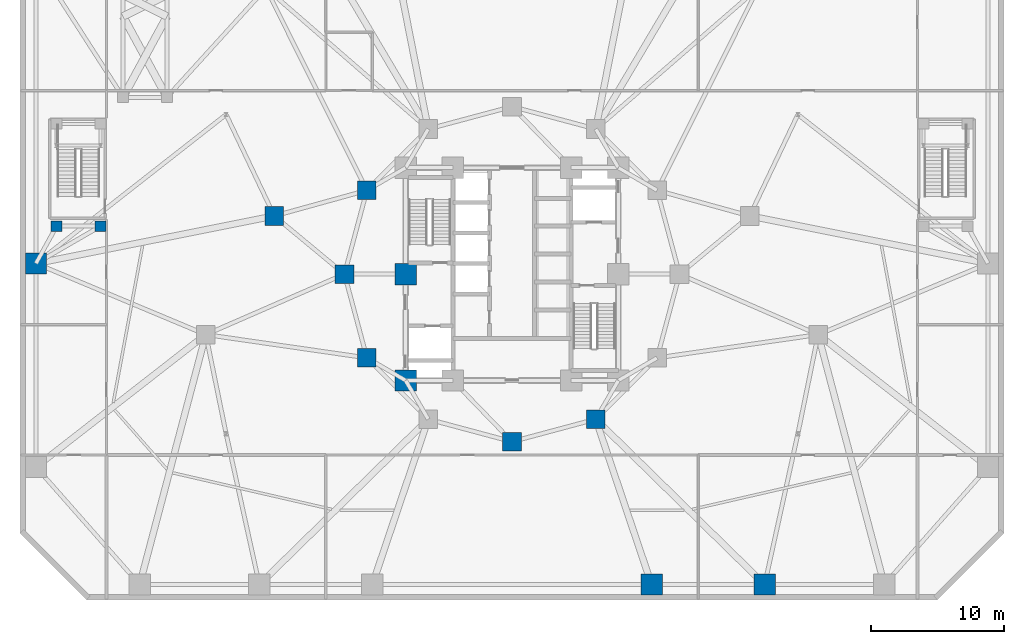
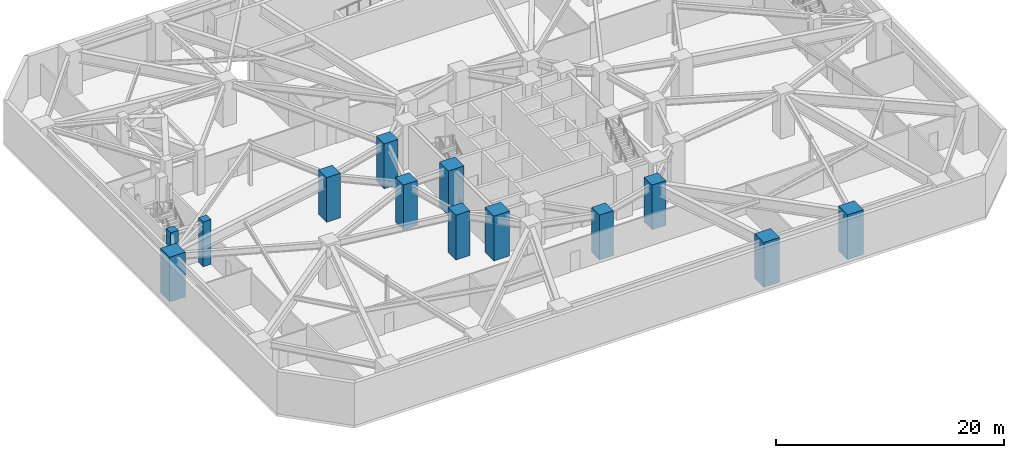
# One storey, part 2 of 18: 13 columns.
"""IFC4 building model written with IfcOpenShell, lengths in metres."""

from ifc_helpers import new_model, si_unit, direction, frame, origin, origin_2d, place, context, subcontext, project, spatial, rectangle, extrude, material, material_profile, profile_set, type_object, element, save


model = new_model("IFC4")

# Units and contexts
model_context = context("Model", 3, precision=1e-05, world=origin(), true_north=direction((0.0, 1.0)))
body_context = subcontext(model_context, "Body", "Model", "MODEL_VIEW")
ifc_project = project(units=[si_unit("LENGTHUNIT", "METRE"), si_unit("AREAUNIT", "SQUARE_METRE"), si_unit("VOLUMEUNIT", "CUBIC_METRE"), si_unit("PLANEANGLEUNIT", "RADIAN"), si_unit("MASSUNIT", "GRAM", prefix="KILO")], contexts=[model_context])

# Site, building, storey
site_placement = place(None, origin())
site = spatial("IfcSite", under=ifc_project, at=site_placement, CompositionType="ELEMENT")
building_placement = place(site_placement, origin())
building = spatial("IfcBuilding", under=site, at=building_placement, Name="Terralouvre Media Tower", CompositionType="ELEMENT")
storey_placement = place(building_placement, frame((0.0, 0.0, -4.800048828125)))
storey = spatial("IfcBuildingStorey", under=building, at=storey_placement, Name="B01", CompositionType="ELEMENT", Elevation=-4.800048828125)

# Columns
ifc_material_1 = material(Name="Concrete C60/75", Category="concrete")
ifc_material_profile_1 = material_profile(ifc_material_1, rectangle(XDim=1.39990234375, YDim=1.39990234375, at=origin_2d()), Name="RC 1400x1400")
ifc_profile_set_1 = profile_set([ifc_material_profile_1], Name="Concrete C60/75")
column_type_1 = type_object("IfcColumnType", Name="Structural Column C-RC1400 (RC 1400x1400)", PredefinedType="COLUMN", material=ifc_profile_set_1)
for number, where, z_axis, x_axis, name in (
    (1, (-10.911865234375, 6.300048828125, 0.0), (0.0, 0.0, 1.0), (1.0, 0.0, 0.0), "B01 Mega-Frame Column MC06"),
    (2, (-12.60009765625, 0.0, 0.0), (0.0, 0.0, 1.0), (1.0, 0.0, 0.0), "B01 Mega-Frame Column MC07"),
    (3, (-10.911865234375, -6.300048828125, 0.0), (0.0, 0.0, 1.0), (1.0, 0.0, 0.0), "B01 Mega-Frame Column MC08"),
    (4, (0.0, -12.60009765625, 0.0), (0.0, 0.0, 1.0), (1.0, 0.0, 0.0), "B01 Mega-Frame Column MC10"),
    (5, (6.300048828125, -10.911865234375, 0.0), (0.0, 0.0, 1.0), (1.0, 0.0, 0.0), "B01 Mega-Frame Column MC11"),
    (6, (-17.874755859375, 4.373291015625, 0.0), (0.0, 0.0, 1.0), (1.0, 0.0, 0.0), "B01 Podium Transfer Column PM23"),
):
    element("IfcColumn", number, at=place(storey_placement, frame(where, z_axis=z_axis, x_axis=x_axis)), inside=storey, type_object=column_type_1, Name=name, PredefinedType="COLUMN", context=body_context, shape_type="SweptSolid", body=[
        extrude(rectangle(XDim=1.39990234375, YDim=1.39990234375, at=origin_2d()), origin(), (0.0, 0.0, 1.0), 4.800048828125),
    ])
ifc_material_2 = material(Name="Concrete C60/75", Category="concrete")
ifc_material_profile_2 = material_profile(ifc_material_2, rectangle(XDim=1.60009765625, YDim=1.60009765625, at=origin_2d()), Name="RC 1600x1600")
ifc_profile_set_2 = profile_set([ifc_material_profile_2], Name="Concrete C60/75")
column_type_2 = type_object("IfcColumnType", Name="Structural Column C-RC1600 (RC 1600x1600)", PredefinedType="COLUMN", material=ifc_profile_set_2)
for number, where, z_axis, x_axis, name in (
    (7, (-8.0, -8.0, 0.0), (0.0, 0.0, 1.0), (1.0, 0.0, 0.0), "B01 Core Pilaster Column CP1"),
    (8, (-8.0, 0.0, 0.0), (0.0, 0.0, 1.0), (1.0, 0.0, 0.0), "B01 Core Pilaster Column CP8"),
    (9, (10.5, -23.35009765625, 0.0), (0.0, 0.0, 1.0), (1.0, 0.0, 0.0), "B01 Perimeter Mega-Column PM04"),
    (10, (19.0, -23.35009765625, 0.0), (0.0, 0.0, 1.0), (1.0, 0.0, 0.0), "B01 Perimeter Mega-Column PM05"),
    (11, (-35.800048828125, 0.800048828125, 0.0), (0.0, 0.0, 1.0), (1.0, 0.0, 0.0), "B01 Perimeter Mega-Column PM17"),
):
    element("IfcColumn", number, at=place(storey_placement, frame(where, z_axis=z_axis, x_axis=x_axis)), inside=storey, type_object=column_type_2, Name=name, PredefinedType="COLUMN", context=body_context, shape_type="SweptSolid", body=[
        extrude(rectangle(XDim=1.60009765625, YDim=1.60009765625, at=origin_2d()), origin(), (0.0, 0.0, 1.0), 4.800048828125),
    ])
ifc_material_3 = material(Name="Concrete C50/60", Category="concrete")
ifc_material_profile_3 = material_profile(ifc_material_3, rectangle(XDim=0.800048828125, YDim=0.800048828125, at=origin_2d()), Name="RC 800x800")
ifc_profile_set_3 = profile_set([ifc_material_profile_3], Name="Concrete C50/60")
column_type_3 = type_object("IfcColumnType", Name="Structural Column C-RC800 (RC 800x800)", PredefinedType="COLUMN", material=ifc_profile_set_3)
for number, where, z_axis, x_axis, name in (
    (12, (-34.25, 3.60009765625, 0.0), (0.0, 0.0, 1.0), (1.0, 0.0, 0.0), "B01 Stair Pavilion Support Column ST3C1"),
    (13, (-30.949951171875, 3.60009765625, 0.0), (0.0, 0.0, 1.0), (1.0, 0.0, 0.0), "B01 Stair Pavilion Support Column ST3C2"),
):
    element("IfcColumn", number, at=place(storey_placement, frame(where, z_axis=z_axis, x_axis=x_axis)), inside=storey, type_object=column_type_3, Name=name, PredefinedType="COLUMN", context=body_context, shape_type="SweptSolid", body=[
        extrude(rectangle(XDim=0.800048828125, YDim=0.800048828125, at=origin_2d()), origin(), (0.0, 0.0, 1.0), 4.800048828125),
    ])

save(model, "model.ifc")
